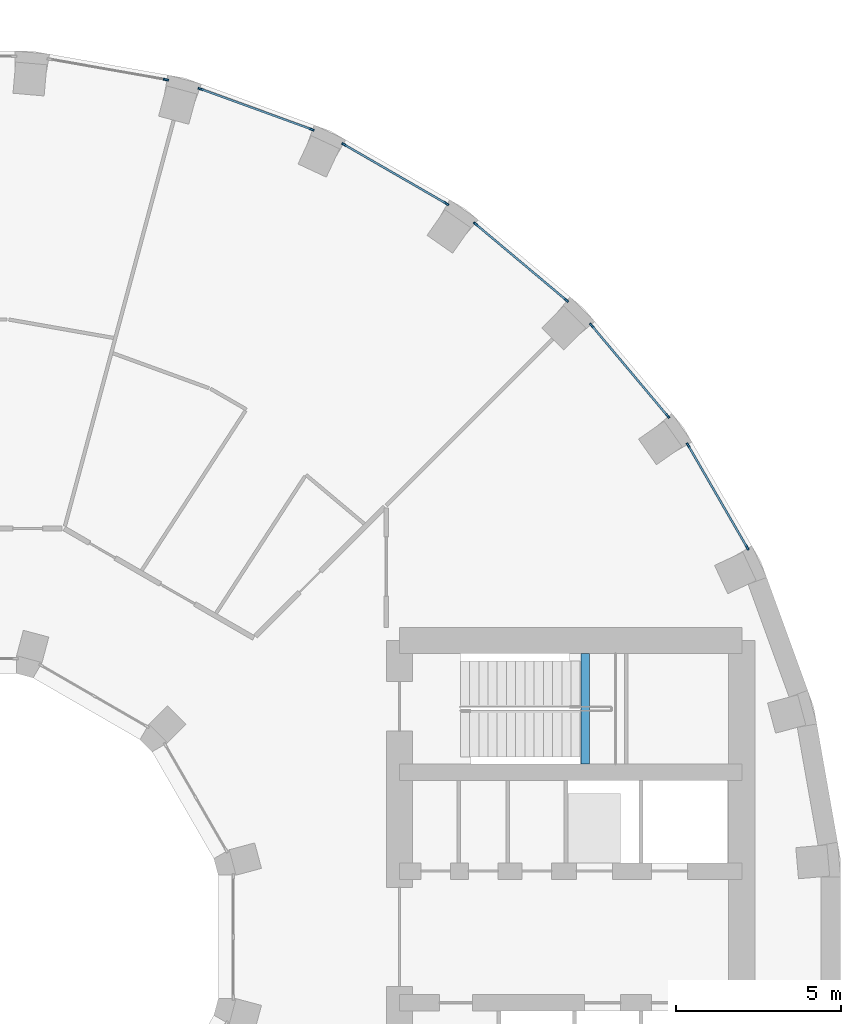
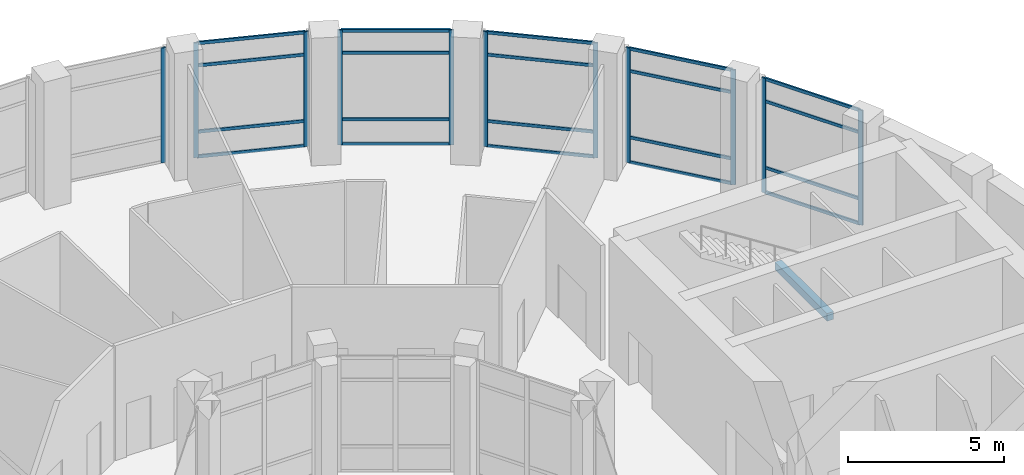
# One storey, part 8 of 18: 31 members, 1 beam, 6 elements without a shape of their own.
"""IFC4 building model written with IfcOpenShell, lengths in metres."""

from ifc_helpers import new_model, si_unit, direction, frame, origin, origin_2d, place, context, subcontext, project, spatial, rectangle, extrude, material, layer, layer_set, material_profile, profile_set, type_object, element, aggregate, save


model = new_model("IFC4")

# Units and contexts
model_context = context("Model", 3, precision=1e-05, world=origin(), true_north=direction((0.0, 1.0)))
body_context = subcontext(model_context, "Body", "Model", "MODEL_VIEW")
ifc_project = project(units=[si_unit("LENGTHUNIT", "METRE"), si_unit("AREAUNIT", "SQUARE_METRE"), si_unit("VOLUMEUNIT", "CUBIC_METRE"), si_unit("PLANEANGLEUNIT", "RADIAN"), si_unit("MASSUNIT", "GRAM", prefix="KILO")], contexts=[model_context])

# Site, building, storey
site_placement = place(None, origin())
site = spatial("IfcSite", under=ifc_project, at=site_placement, CompositionType="ELEMENT")
building_placement = place(site_placement, origin())
building = spatial("IfcBuilding", under=site, at=building_placement, Name="Saqina Gate Tower", CompositionType="ELEMENT")
storey_placement = place(building_placement, frame((0.0, 0.0, 86.89990234375)))
storey = spatial("IfcBuildingStorey", under=building, at=storey_placement, Name="L24", CompositionType="ELEMENT", Elevation=86.89990234375)

# Curtain wall, members
ifc_material_1 = material(Name="Aluminium glazing", Category="aluminium")
ifc_layer = layer(ifc_material_1, 0.159912109375)
ifc_layer_set = layer_set([ifc_layer], Name="CWT-2")
curtain_wall_type = type_object("IfcCurtainWallType", Name="CWT-2", PredefinedType="NOTDEFINED", material=ifc_layer_set)
curtain_wall_1_placement = place(storey_placement, origin())
curtain_wall_1 = element("IfcCurtainWall", 1, at=curtain_wall_1_placement, inside=storey, type_object=curtain_wall_type, Name="Sky lounge glazing facet 3", PredefinedType="NOTDEFINED")
ifc_material_2 = material(Name="Aluminium", Category="aluminium")
ifc_material_profile_1 = material_profile(ifc_material_2, rectangle(XDim=0.06005859375, YDim=0.159912109375, at=origin_2d()), Name="Aluminium 60x160")
ifc_profile_set_1 = profile_set([ifc_material_profile_1], Name="Aluminium")
member_type_1 = type_object("IfcMemberType", Name="CWT-2M", PredefinedType="MULLION", material=ifc_profile_set_1)
member_1_placement = place(storey_placement, frame((24.060791015625, 11.820068359375, 0.0), z_axis=(0.0, 0.0, 1.0), x_axis=(-0.86602626266, -0.499998512381, 0.0)))
member_1 = element("IfcMember", 2, at=member_1_placement, type_object=member_type_1, Name="CW2-03 mullion 1", PredefinedType="MULLION", context=body_context, shape_type="SweptSolid", body=[
    extrude(rectangle(XDim=0.06005859375, YDim=0.159912109375, at=origin_2d()), origin(), (0.0, 0.0, 1.0), 4.5),
])
member_2_placement = place(storey_placement, frame((22.266845703125, 14.92724609375, 0.0), z_axis=(0.0, 0.0, 1.0), x_axis=(-0.86602626266, -0.499998512381, 0.0)))
member_2 = element("IfcMember", 3, at=member_2_placement, type_object=member_type_1, Name="CW2-03 mullion 2", PredefinedType="MULLION", context=body_context, shape_type="SweptSolid", body=[
    extrude(rectangle(XDim=0.06005859375, YDim=0.159912109375, at=origin_2d()), origin(), (0.0, 0.0, 1.0), 4.5),
])

curtain_wall_2_placement = place(storey_placement, origin())
curtain_wall_2 = element("IfcCurtainWall", 4, at=curtain_wall_2_placement, inside=storey, type_object=curtain_wall_type, Name="Sky lounge glazing facet 4", PredefinedType="NOTDEFINED")
member_3_placement = place(storey_placement, frame((21.642822265625, 15.818603515625, 0.0), z_axis=(0.0, 0.0, 1.0), x_axis=(-0.766041744675, -0.642790825553, 0.0)))
member_3 = element("IfcMember", 5, at=member_3_placement, type_object=member_type_1, Name="CW2-04 mullion 1", PredefinedType="MULLION", context=body_context, shape_type="SweptSolid", body=[
    extrude(rectangle(XDim=0.06005859375, YDim=0.159912109375, at=origin_2d()), origin(), (0.0, 0.0, 1.0), 4.5),
])
member_4_placement = place(storey_placement, frame((19.33642578125, 18.567138671875, 0.0), z_axis=(0.0, 0.0, 1.0), x_axis=(-0.766041744675, -0.642790825553, 0.0)))
member_4 = element("IfcMember", 6, at=member_4_placement, type_object=member_type_1, Name="CW2-04 mullion 2", PredefinedType="MULLION", context=body_context, shape_type="SweptSolid", body=[
    extrude(rectangle(XDim=0.06005859375, YDim=0.159912109375, at=origin_2d()), origin(), (0.0, 0.0, 1.0), 4.5),
])

curtain_wall_3_placement = place(storey_placement, origin())
curtain_wall_3 = element("IfcCurtainWall", 7, at=curtain_wall_3_placement, inside=storey, type_object=curtain_wall_type, Name="Sky lounge glazing facet 5", PredefinedType="NOTDEFINED")
member_5_placement = place(storey_placement, frame((18.567138671875, 19.33642578125, 0.0), z_axis=(0.0, 0.0, 1.0), x_axis=(-0.642790825553, -0.766041744675, 0.0)))
member_5 = element("IfcMember", 8, at=member_5_placement, type_object=member_type_1, Name="CW2-05 mullion 1", PredefinedType="MULLION", context=body_context, shape_type="SweptSolid", body=[
    extrude(rectangle(XDim=0.06005859375, YDim=0.159912109375, at=origin_2d()), origin(), (0.0, 0.0, 1.0), 4.5),
])
member_6_placement = place(storey_placement, frame((15.818603515625, 21.642822265625, 0.0), z_axis=(0.0, 0.0, 1.0), x_axis=(-0.642790825553, -0.766041744675, 0.0)))
member_6 = element("IfcMember", 9, at=member_6_placement, type_object=member_type_1, Name="CW2-05 mullion 2", PredefinedType="MULLION", context=body_context, shape_type="SweptSolid", body=[
    extrude(rectangle(XDim=0.06005859375, YDim=0.159912109375, at=origin_2d()), origin(), (0.0, 0.0, 1.0), 4.5),
])

curtain_wall_4_placement = place(storey_placement, origin())
curtain_wall_4 = element("IfcCurtainWall", 10, at=curtain_wall_4_placement, inside=storey, type_object=curtain_wall_type, Name="Sky lounge glazing facet 6", PredefinedType="NOTDEFINED")
member_7_placement = place(storey_placement, frame((14.92724609375, 22.266845703125, 0.0), z_axis=(0.0, 0.0, 1.0), x_axis=(-0.499998512381, -0.86602626266, 0.0)))
member_7 = element("IfcMember", 11, at=member_7_placement, type_object=member_type_1, Name="CW2-06 mullion 1", PredefinedType="MULLION", context=body_context, shape_type="SweptSolid", body=[
    extrude(rectangle(XDim=0.06005859375, YDim=0.159912109375, at=origin_2d()), origin(), (0.0, 0.0, 1.0), 4.5),
])
member_8_placement = place(storey_placement, frame((11.820068359375, 24.060791015625, 0.0), z_axis=(0.0, 0.0, 1.0), x_axis=(-0.499998512381, -0.86602626266, 0.0)))
member_8 = element("IfcMember", 12, at=member_8_placement, type_object=member_type_1, Name="CW2-06 mullion 2", PredefinedType="MULLION", context=body_context, shape_type="SweptSolid", body=[
    extrude(rectangle(XDim=0.06005859375, YDim=0.159912109375, at=origin_2d()), origin(), (0.0, 0.0, 1.0), 4.5),
])

curtain_wall_5_placement = place(storey_placement, origin())
curtain_wall_5 = element("IfcCurtainWall", 13, at=curtain_wall_5_placement, inside=storey, type_object=curtain_wall_type, Name="Sky lounge glazing facet 7", PredefinedType="NOTDEFINED")
member_9_placement = place(storey_placement, frame((10.833740234375, 24.520751953125, 0.0), z_axis=(0.0, 0.0, 1.0), x_axis=(-0.342015987197, -0.939694133483, 0.0)))
member_9 = element("IfcMember", 14, at=member_9_placement, type_object=member_type_1, Name="CW2-07 mullion 1", PredefinedType="MULLION", context=body_context, shape_type="SweptSolid", body=[
    extrude(rectangle(XDim=0.06005859375, YDim=0.159912109375, at=origin_2d()), origin(), (0.0, 0.0, 1.0), 4.5),
])
member_10_placement = place(storey_placement, frame((7.46240234375, 25.747802734375, 0.0), z_axis=(0.0, 0.0, 1.0), x_axis=(-0.342015987197, -0.939694133483, 0.0)))
member_10 = element("IfcMember", 15, at=member_10_placement, type_object=member_type_1, Name="CW2-07 mullion 2", PredefinedType="MULLION", context=body_context, shape_type="SweptSolid", body=[
    extrude(rectangle(XDim=0.06005859375, YDim=0.159912109375, at=origin_2d()), origin(), (0.0, 0.0, 1.0), 4.5),
])

# Curtain wall, member
curtain_wall_6_placement = place(storey_placement, origin())
curtain_wall_6 = element("IfcCurtainWall", 16, at=curtain_wall_6_placement, inside=storey, type_object=curtain_wall_type, Name="Sky lounge glazing facet 8", PredefinedType="NOTDEFINED")
member_11_placement = place(storey_placement, frame((6.411376953125, 26.029296875, 0.0), z_axis=(0.0, 0.0, 1.0), x_axis=(-0.17363832834, -0.984809489664, 0.0)))
member_11 = element("IfcMember", 17, at=member_11_placement, type_object=member_type_1, Name="CW2-08 mullion 1", PredefinedType="MULLION", context=body_context, shape_type="SweptSolid", body=[
    extrude(rectangle(XDim=0.06005859375, YDim=0.159912109375, at=origin_2d()), origin(), (0.0, 0.0, 1.0), 4.5),
])
aggregate(curtain_wall_6, [member_11])

# Member
ifc_material_3 = material(Name="Aluminium", Category="aluminium")
ifc_material_profile_2 = material_profile(ifc_material_3, rectangle(XDim=0.06005859375, YDim=0.1201171875, at=origin_2d()), Name="Aluminium 60x120")
ifc_profile_set_2 = profile_set([ifc_material_profile_2], Name="Aluminium")
member_type_2 = type_object("IfcMemberType", Name="CWT-2T", PredefinedType="USERDEFINED", material=ifc_profile_set_2)
member_12_placement = place(storey_placement, frame((24.0458984375, 11.845947265625, 0.030029296875), z_axis=(-0.500002010285, 0.866024243143, 0.0), x_axis=(-0.866024243143, -0.500002010285, 0.0)))
member_12 = element("IfcMember", 18, at=member_12_placement, type_object=member_type_2, Name="CW2-03 transom 1.1", ObjectType="TRANSOM", PredefinedType="USERDEFINED", context=body_context, shape_type="SweptSolid", body=[
    extrude(rectangle(XDim=0.06005859375, YDim=0.1201171875, at=origin_2d()), origin(), (0.0, 0.0, 1.0), 3.52783203125),
])

member_13_placement = place(storey_placement, frame((24.0458984375, 11.845947265625, 1.0), z_axis=(-0.500002010285, 0.866024243143, 0.0), x_axis=(-0.866024243143, -0.500002010285, 0.0)))
member_13 = element("IfcMember", 19, at=member_13_placement, type_object=member_type_2, Name="CW2-03 transom 1.2", ObjectType="TRANSOM", PredefinedType="USERDEFINED", context=body_context, shape_type="SweptSolid", body=[
    extrude(rectangle(XDim=0.06005859375, YDim=0.1201171875, at=origin_2d()), origin(), (0.0, 0.0, 1.0), 3.52783203125),
])

member_14_placement = place(storey_placement, frame((24.0458984375, 11.845947265625, 3.60009765625), z_axis=(-0.500002010285, 0.866024243143, 0.0), x_axis=(-0.866024243143, -0.500002010285, 0.0)))
member_14 = element("IfcMember", 20, at=member_14_placement, type_object=member_type_2, Name="CW2-03 transom 1.3", ObjectType="TRANSOM", PredefinedType="USERDEFINED", context=body_context, shape_type="SweptSolid", body=[
    extrude(rectangle(XDim=0.06005859375, YDim=0.1201171875, at=origin_2d()), origin(), (0.0, 0.0, 1.0), 3.52783203125),
])

member_15_placement = place(storey_placement, frame((24.0458984375, 11.845947265625, 4.47021484375), z_axis=(-0.500002010285, 0.866024243143, 0.0), x_axis=(-0.866024243143, -0.500002010285, 0.0)))
member_15 = element("IfcMember", 21, at=member_15_placement, type_object=member_type_2, Name="CW2-03 transom 1.4", ObjectType="TRANSOM", PredefinedType="USERDEFINED", context=body_context, shape_type="SweptSolid", body=[
    extrude(rectangle(XDim=0.06005859375, YDim=0.1201171875, at=origin_2d()), origin(), (0.0, 0.0, 1.0), 3.52783203125),
])

aggregate(curtain_wall_1, [member_1, member_2, member_12, member_13, member_14, member_15])

member_16_placement = place(storey_placement, frame((21.62353515625, 15.841552734375, 0.030029296875), z_axis=(-0.642828469945, 0.766010155434, 0.0), x_axis=(-0.766010155434, -0.642828469945, 0.0)))
member_16 = element("IfcMember", 22, at=member_16_placement, type_object=member_type_2, Name="CW2-04 transom 1.1", ObjectType="TRANSOM", PredefinedType="USERDEFINED", context=body_context, shape_type="SweptSolid", body=[
    extrude(rectangle(XDim=0.06005859375, YDim=0.1201171875, at=origin_2d()), origin(), (0.0, 0.0, 1.0), 3.52783203125),
])

member_17_placement = place(storey_placement, frame((21.62353515625, 15.841552734375, 1.0), z_axis=(-0.642828469945, 0.766010155434, 0.0), x_axis=(-0.766010155434, -0.642828469945, 0.0)))
member_17 = element("IfcMember", 23, at=member_17_placement, type_object=member_type_2, Name="CW2-04 transom 1.2", ObjectType="TRANSOM", PredefinedType="USERDEFINED", context=body_context, shape_type="SweptSolid", body=[
    extrude(rectangle(XDim=0.06005859375, YDim=0.1201171875, at=origin_2d()), origin(), (0.0, 0.0, 1.0), 3.52783203125),
])

member_18_placement = place(storey_placement, frame((21.62353515625, 15.841552734375, 3.60009765625), z_axis=(-0.642828469945, 0.766010155434, 0.0), x_axis=(-0.766010155434, -0.642828469945, 0.0)))
member_18 = element("IfcMember", 24, at=member_18_placement, type_object=member_type_2, Name="CW2-04 transom 1.3", ObjectType="TRANSOM", PredefinedType="USERDEFINED", context=body_context, shape_type="SweptSolid", body=[
    extrude(rectangle(XDim=0.06005859375, YDim=0.1201171875, at=origin_2d()), origin(), (0.0, 0.0, 1.0), 3.52783203125),
])

member_19_placement = place(storey_placement, frame((21.62353515625, 15.841552734375, 4.47021484375), z_axis=(-0.642828469945, 0.766010155434, 0.0), x_axis=(-0.766010155434, -0.642828469945, 0.0)))
member_19 = element("IfcMember", 25, at=member_19_placement, type_object=member_type_2, Name="CW2-04 transom 1.4", ObjectType="TRANSOM", PredefinedType="USERDEFINED", context=body_context, shape_type="SweptSolid", body=[
    extrude(rectangle(XDim=0.06005859375, YDim=0.1201171875, at=origin_2d()), origin(), (0.0, 0.0, 1.0), 3.52783203125),
])

aggregate(curtain_wall_2, [member_3, member_4, member_16, member_17, member_18, member_19])

member_20_placement = place(storey_placement, frame((18.5439453125, 19.355712890625, 0.030029296875), z_axis=(-0.766010155434, 0.642828469945, 0.0), x_axis=(-0.642828469945, -0.766010155434, 0.0)))
member_20 = element("IfcMember", 26, at=member_20_placement, type_object=member_type_2, Name="CW2-05 transom 1.1", ObjectType="TRANSOM", PredefinedType="USERDEFINED", context=body_context, shape_type="SweptSolid", body=[
    extrude(rectangle(XDim=0.06005859375, YDim=0.1201171875, at=origin_2d()), origin(), (0.0, 0.0, 1.0), 3.52783203125),
])

member_21_placement = place(storey_placement, frame((18.5439453125, 19.355712890625, 1.0), z_axis=(-0.766010155434, 0.642828469945, 0.0), x_axis=(-0.642828469945, -0.766010155434, 0.0)))
member_21 = element("IfcMember", 27, at=member_21_placement, type_object=member_type_2, Name="CW2-05 transom 1.2", ObjectType="TRANSOM", PredefinedType="USERDEFINED", context=body_context, shape_type="SweptSolid", body=[
    extrude(rectangle(XDim=0.06005859375, YDim=0.1201171875, at=origin_2d()), origin(), (0.0, 0.0, 1.0), 3.52783203125),
])

member_22_placement = place(storey_placement, frame((18.5439453125, 19.355712890625, 3.60009765625), z_axis=(-0.766010155434, 0.642828469945, 0.0), x_axis=(-0.642828469945, -0.766010155434, 0.0)))
member_22 = element("IfcMember", 28, at=member_22_placement, type_object=member_type_2, Name="CW2-05 transom 1.3", ObjectType="TRANSOM", PredefinedType="USERDEFINED", context=body_context, shape_type="SweptSolid", body=[
    extrude(rectangle(XDim=0.06005859375, YDim=0.1201171875, at=origin_2d()), origin(), (0.0, 0.0, 1.0), 3.52783203125),
])

member_23_placement = place(storey_placement, frame((18.5439453125, 19.355712890625, 4.47021484375), z_axis=(-0.766010155434, 0.642828469945, 0.0), x_axis=(-0.642828469945, -0.766010155434, 0.0)))
member_23 = element("IfcMember", 29, at=member_23_placement, type_object=member_type_2, Name="CW2-05 transom 1.4", ObjectType="TRANSOM", PredefinedType="USERDEFINED", context=body_context, shape_type="SweptSolid", body=[
    extrude(rectangle(XDim=0.06005859375, YDim=0.1201171875, at=origin_2d()), origin(), (0.0, 0.0, 1.0), 3.52783203125),
])

aggregate(curtain_wall_3, [member_5, member_6, member_20, member_21, member_22, member_23])

member_24_placement = place(storey_placement, frame((14.901123046875, 22.281982421875, 0.030029296875), z_axis=(-0.866024243143, 0.500002010285, 0.0), x_axis=(-0.500002010285, -0.866024243143, 0.0)))
member_24 = element("IfcMember", 30, at=member_24_placement, type_object=member_type_2, Name="CW2-06 transom 1.1", ObjectType="TRANSOM", PredefinedType="USERDEFINED", context=body_context, shape_type="SweptSolid", body=[
    extrude(rectangle(XDim=0.06005859375, YDim=0.1201171875, at=origin_2d()), origin(), (0.0, 0.0, 1.0), 3.52783203125),
])

member_25_placement = place(storey_placement, frame((14.901123046875, 22.281982421875, 1.0), z_axis=(-0.866024243143, 0.500002010285, 0.0), x_axis=(-0.500002010285, -0.866024243143, 0.0)))
member_25 = element("IfcMember", 31, at=member_25_placement, type_object=member_type_2, Name="CW2-06 transom 1.2", ObjectType="TRANSOM", PredefinedType="USERDEFINED", context=body_context, shape_type="SweptSolid", body=[
    extrude(rectangle(XDim=0.06005859375, YDim=0.1201171875, at=origin_2d()), origin(), (0.0, 0.0, 1.0), 3.52783203125),
])

member_26_placement = place(storey_placement, frame((14.901123046875, 22.281982421875, 3.60009765625), z_axis=(-0.866024243143, 0.500002010285, 0.0), x_axis=(-0.500002010285, -0.866024243143, 0.0)))
member_26 = element("IfcMember", 32, at=member_26_placement, type_object=member_type_2, Name="CW2-06 transom 1.3", ObjectType="TRANSOM", PredefinedType="USERDEFINED", context=body_context, shape_type="SweptSolid", body=[
    extrude(rectangle(XDim=0.06005859375, YDim=0.1201171875, at=origin_2d()), origin(), (0.0, 0.0, 1.0), 3.52783203125),
])

member_27_placement = place(storey_placement, frame((14.901123046875, 22.281982421875, 4.47021484375), z_axis=(-0.866024243143, 0.500002010285, 0.0), x_axis=(-0.500002010285, -0.866024243143, 0.0)))
member_27 = element("IfcMember", 33, at=member_27_placement, type_object=member_type_2, Name="CW2-06 transom 1.4", ObjectType="TRANSOM", PredefinedType="USERDEFINED", context=body_context, shape_type="SweptSolid", body=[
    extrude(rectangle(XDim=0.06005859375, YDim=0.1201171875, at=origin_2d()), origin(), (0.0, 0.0, 1.0), 3.52783203125),
])

aggregate(curtain_wall_4, [member_7, member_8, member_24, member_25, member_26, member_27])

member_28_placement = place(storey_placement, frame((10.8056640625, 24.531005859375, 0.030029296875), z_axis=(-0.939700445258, 0.341998645001, 0.0), x_axis=(-0.341998645001, -0.939700445258, 0.0)))
member_28 = element("IfcMember", 34, at=member_28_placement, type_object=member_type_2, Name="CW2-07 transom 1.1", ObjectType="TRANSOM", PredefinedType="USERDEFINED", context=body_context, shape_type="SweptSolid", body=[
    extrude(rectangle(XDim=0.06005859375, YDim=0.1201171875, at=origin_2d()), origin(), (0.0, 0.0, 1.0), 3.52783203125),
])

member_29_placement = place(storey_placement, frame((10.8056640625, 24.531005859375, 1.0), z_axis=(-0.939700445258, 0.341998645001, 0.0), x_axis=(-0.341998645001, -0.939700445258, 0.0)))
member_29 = element("IfcMember", 35, at=member_29_placement, type_object=member_type_2, Name="CW2-07 transom 1.2", ObjectType="TRANSOM", PredefinedType="USERDEFINED", context=body_context, shape_type="SweptSolid", body=[
    extrude(rectangle(XDim=0.06005859375, YDim=0.1201171875, at=origin_2d()), origin(), (0.0, 0.0, 1.0), 3.52783203125),
])

member_30_placement = place(storey_placement, frame((10.8056640625, 24.531005859375, 3.60009765625), z_axis=(-0.939700445258, 0.341998645001, 0.0), x_axis=(-0.341998645001, -0.939700445258, 0.0)))
member_30 = element("IfcMember", 36, at=member_30_placement, type_object=member_type_2, Name="CW2-07 transom 1.3", ObjectType="TRANSOM", PredefinedType="USERDEFINED", context=body_context, shape_type="SweptSolid", body=[
    extrude(rectangle(XDim=0.06005859375, YDim=0.1201171875, at=origin_2d()), origin(), (0.0, 0.0, 1.0), 3.52783203125),
])

member_31_placement = place(storey_placement, frame((10.8056640625, 24.531005859375, 4.47021484375), z_axis=(-0.939700445258, 0.341998645001, 0.0), x_axis=(-0.341998645001, -0.939700445258, 0.0)))
member_31 = element("IfcMember", 37, at=member_31_placement, type_object=member_type_2, Name="CW2-07 transom 1.4", ObjectType="TRANSOM", PredefinedType="USERDEFINED", context=body_context, shape_type="SweptSolid", body=[
    extrude(rectangle(XDim=0.06005859375, YDim=0.1201171875, at=origin_2d()), origin(), (0.0, 0.0, 1.0), 3.52783203125),
])

aggregate(curtain_wall_5, [member_9, member_10, member_28, member_29, member_30, member_31])

# Beam
ifc_material_4 = material(Name="Concrete C40/50", Category="concrete")
ifc_material_profile_3 = material_profile(ifc_material_4, rectangle(XDim=0.25, YDim=0.300048828125, at=origin_2d()), Name="STAIR LANDING BEAM")
ifc_profile_set_3 = profile_set([ifc_material_profile_3], Name="Concrete C40/50")
beam_type = type_object("IfcBeamType", Name="STAIR LANDING BEAM", PredefinedType="BEAM", material=ifc_profile_set_3)
beam_placement = place(storey_placement, frame((19.139892578125, 5.25, 2.10009765625), z_axis=(0.0, 1.0, 0.0), x_axis=(-1.0, 0.0, 0.0)))
element("IfcBeam", 38, at=beam_placement, inside=storey, type_object=beam_type, Name="EXIT STAIR 1 LANDING BEAM", PredefinedType="BEAM", context=body_context, shape_type="SweptSolid", body=[
    extrude(rectangle(XDim=0.25, YDim=0.300048828125, at=origin_2d()), origin(), (0.0, 0.0, 1.0), 3.35009765625),
])

save(model, "model.ifc")
